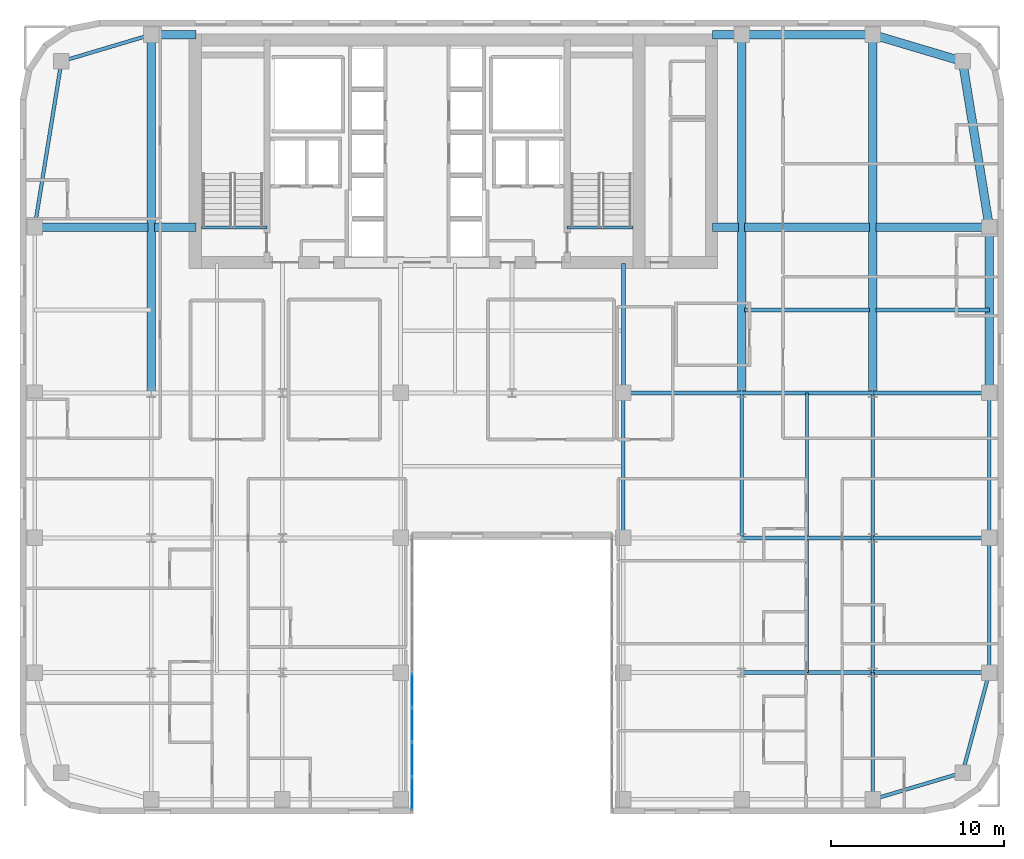
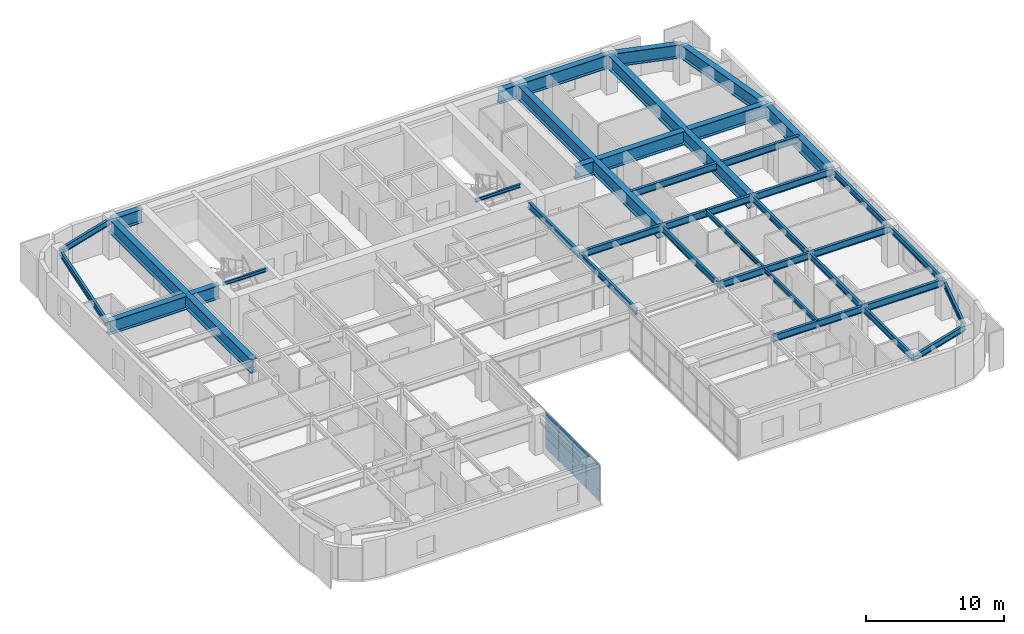
# One storey, part 8 of 16: 39 beams, 8 plates, 1 element without a shape of its own.
"""IFC4 building model written with IfcOpenShell, lengths in metres."""

from ifc_helpers import new_model, si_unit, direction, frame, origin, origin_2d, place, context, subcontext, project, spatial, rectangle, i_section, extrude, source, transform, mapped, material, layer, layer_set, material_profile, profile_set, type_object, type_shapes, element, aggregate, save


model = new_model("IFC4")

# Units and contexts
model_context = context("Model", 3, precision=1e-05, world=origin(), true_north=direction((0.0, 1.0)))
body_context = subcontext(model_context, "Body", "Model", "MODEL_VIEW")
ifc_project = project(units=[si_unit("LENGTHUNIT", "METRE"), si_unit("AREAUNIT", "SQUARE_METRE"), si_unit("VOLUMEUNIT", "CUBIC_METRE"), si_unit("PLANEANGLEUNIT", "RADIAN"), si_unit("MASSUNIT", "GRAM", prefix="KILO")], contexts=[model_context])

# Site, building, storey
site_placement = place(None, origin())
site = spatial("IfcSite", under=ifc_project, at=site_placement, CompositionType="ELEMENT")
building_placement = place(site_placement, origin())
building = spatial("IfcBuilding", under=site, at=building_placement, Name="Tolvann Quenvar Hotel", CompositionType="ELEMENT")
storey_placement = place(building_placement, frame((0.0, 0.0, 115.10009765625)))
storey = spatial("IfcBuildingStorey", under=building, at=storey_placement, Name="L29", CompositionType="ELEMENT", Elevation=115.10009765625)

# Beams
ifc_material_1 = material(Name="Steel Grade 350", Category="steel")
ifc_material_profile_1 = material_profile(ifc_material_1, i_section(OverallWidth=0.5, OverallDepth=1.199951171875, WebThickness=0.01611328125, FlangeThickness=0.0400390625, at=origin_2d()), Name="1200WB455")
ifc_profile_set_1 = profile_set([ifc_material_profile_1], Name="Steel Grade 350")
beam_type_1 = type_object("IfcBeamType", Name="BM_TG_1200WB455", PredefinedType="USERDEFINED", material=ifc_profile_set_1)
shared_shape_1 = source(origin(), body_context, "Body", "SweptSolid", [
    extrude(i_section(OverallWidth=0.5, OverallDepth=1.199951171875, WebThickness=0.01611328125, FlangeThickness=0.0400390625, at=origin_2d()), origin(), (0.0, 0.0, 1.0), 7.599853515625),
])
beam_1_placement = place(storey_placement, frame((49.39990234375, 45.14990234375, 2.77001953125), z_axis=(-1.0, 0.0, 0.0), x_axis=(0.0, -1.0, 0.0)))
element("IfcBeam", 1, at=beam_1_placement, inside=storey, type_object=beam_type_1, Name="BM-L29-FLK-E4", ObjectType="TRANSFER GIRDER", PredefinedType="USERDEFINED", context=body_context, shape_type="MappedRepresentation", body=[
    mapped(shared_shape_1, transform((0.0, 0.0, 0.0), x_axis=(1.0, 0.0, 0.0), y_axis=(0.0, 1.0, 0.0), z_axis=(0.0, 0.0, 1.0), scale=1.0)),
])
shared_shape_2 = source(origin(), body_context, "Body", "SweptSolid", [
    extrude(i_section(OverallWidth=0.5, OverallDepth=1.199951171875, WebThickness=0.01611328125, FlangeThickness=0.0400390625, at=origin_2d()), origin(), (0.0, 0.0, 1.0), 9.60009765625),
])
beam_2_placement = place(storey_placement, frame((56.14990234375, 24.39990234375, 2.77001953125), z_axis=(0.0, 1.0, 0.0), x_axis=(-1.0, 0.0, 0.0)))
element("IfcBeam", 2, at=beam_2_placement, inside=storey, type_object=beam_type_1, Name="BM-L29-FLK-E1", ObjectType="TRANSFER GIRDER", PredefinedType="USERDEFINED", context=body_context, shape_type="MappedRepresentation", body=[
    mapped(shared_shape_2, transform((0.0, 0.0, 0.0), x_axis=(1.0, 0.0, 0.0), y_axis=(0.0, 1.0, 0.0), z_axis=(0.0, 0.0, 1.0), scale=1.0)),
])
ifc_material_profile_2 = material_profile(ifc_material_1, i_section(OverallWidth=0.208984375, OverallDepth=0.528076171875, WebThickness=0.009521484375, FlangeThickness=0.01318359375, FilletRadius=0.013916015625, at=origin_2d()), Name="530UB82")
ifc_profile_set_2 = profile_set([ifc_material_profile_2], Name="Steel Grade 350")
beam_type_2 = type_object("IfcBeamType", Name="BM_SPAND_530UB82", PredefinedType="SPANDREL", material=ifc_profile_set_2)
shared_shape_3 = source(origin(), body_context, "Body", "SweptSolid", [
    extrude(i_section(OverallWidth=0.208984375, OverallDepth=0.528076171875, WebThickness=0.009521484375, FlangeThickness=0.01318359375, FilletRadius=0.013916015625, at=origin_2d()), origin(), (0.0, 0.0, 1.0), 5.42626953125),
])
for number, where, z_axis, x_axis, name in (
    (3, (49.39990234375, 0.85009765625, 3.10595703125), (0.958344815522, 0.285613750654, 0.0), (-0.285613750654, 0.958344815522, 0.0), "BM-L29-EW-2-I2-J2"),
    (4, (2.39990234375, 43.60009765625, 3.10595703125), (0.958344815522, 0.285613750654, 0.0), (-0.285613750654, 0.958344815522, 0.0), "BM-L29-FLK-W3"),
):
    element("IfcBeam", number, at=place(storey_placement, frame(where, z_axis=z_axis, x_axis=x_axis)), inside=storey, type_object=beam_type_2, Name=name, PredefinedType="SPANDREL", context=body_context, shape_type="MappedRepresentation", body=[
        mapped(shared_shape_3, transform((0.0, 0.0, 0.0), x_axis=(1.0, 0.0, 0.0), y_axis=(0.0, 1.0, 0.0), z_axis=(0.0, 0.0, 1.0), scale=1.0)),
    ])
ifc_material_profile_3 = material_profile(ifc_material_1, i_section(OverallWidth=0.22900390625, OverallDepth=0.612060546875, WebThickness=0.011962890625, FlangeThickness=0.01953125, FilletRadius=0.013916015625, at=origin_2d()), Name="610UB125")
ifc_profile_set_3 = profile_set([ifc_material_profile_3], Name="Steel Grade 350")
beam_type_3 = type_object("IfcBeamType", Name="BM_GIRD_610UB125", PredefinedType="BEAM", material=ifc_profile_set_3)
shared_shape_4 = source(origin(), body_context, "Body", "SweptSolid", [
    extrude(i_section(OverallWidth=0.22900390625, OverallDepth=0.612060546875, WebThickness=0.011962890625, FlangeThickness=0.01953125, FilletRadius=0.013916015625, at=origin_2d()), origin(), (0.0, 0.0, 1.0), 6.75),
])
for number, where, z_axis, x_axis, name in (
    (5, (49.39990234375, 8.199951171875, 3.06396484375), (1.0, 0.0, 0.0), (0.0, 1.0, 0.0), "BM-L29-EW-3-I3-J3"),
    (6, (49.39990234375, 16.0, 3.06396484375), (1.0, 0.0, 0.0), (0.0, 1.0, 0.0), "BM-L29-EW-4-I4-J4"),
    (7, (49.39990234375, 24.39990234375, 3.06396484375), (1.0, 0.0, 0.0), (0.0, 1.0, 0.0), "BM-L29-EW-5-I5-J5"),
):
    element("IfcBeam", number, at=place(storey_placement, frame(where, z_axis=z_axis, x_axis=x_axis)), inside=storey, type_object=beam_type_3, Name=name, PredefinedType="BEAM", context=body_context, shape_type="MappedRepresentation", body=[
        mapped(shared_shape_4, transform((0.0, 0.0, 0.0), x_axis=(1.0, 0.0, 0.0), y_axis=(0.0, 1.0, 0.0), z_axis=(0.0, 0.0, 1.0), scale=1.0)),
    ])
shared_shape_5 = source(origin(), body_context, "Body", "SweptSolid", [
    extrude(i_section(OverallWidth=0.22900390625, OverallDepth=0.612060546875, WebThickness=0.011962890625, FlangeThickness=0.01953125, FilletRadius=0.013916015625, at=origin_2d()), origin(), (0.0, 0.0, 1.0), 7.599853515625),
])
for number, where, z_axis, x_axis, name in (
    (8, (41.800048828125, 8.199951171875, 3.06396484375), (1.0, 0.0, 0.0), (0.0, 1.0, 0.0), "BM-L29-EW-3-H3-I3"),
    (9, (41.800048828125, 16.0, 3.06396484375), (1.0, 0.0, 0.0), (0.0, 1.0, 0.0), "BM-L29-EW-4-H4-I4"),
    (10, (41.800048828125, 24.39990234375, 3.06396484375), (1.0, 0.0, 0.0), (0.0, 1.0, 0.0), "BM-L29-EW-5-H5-I5"),
):
    element("IfcBeam", number, at=place(storey_placement, frame(where, z_axis=z_axis, x_axis=x_axis)), inside=storey, type_object=beam_type_3, Name=name, PredefinedType="BEAM", context=body_context, shape_type="MappedRepresentation", body=[
        mapped(shared_shape_5, transform((0.0, 0.0, 0.0), x_axis=(1.0, 0.0, 0.0), y_axis=(0.0, 1.0, 0.0), z_axis=(0.0, 0.0, 1.0), scale=1.0)),
    ])
shared_shape_6 = source(origin(), body_context, "Body", "SweptSolid", [
    extrude(i_section(OverallWidth=0.22900390625, OverallDepth=0.612060546875, WebThickness=0.011962890625, FlangeThickness=0.01953125, FilletRadius=0.013916015625, at=origin_2d()), origin(), (0.0, 0.0, 1.0), 6.85009765625),
])
beam_3_placement = place(storey_placement, frame((34.949951171875, 24.39990234375, 3.06396484375), z_axis=(1.0, 0.0, 0.0), x_axis=(0.0, 1.0, 0.0)))
element("IfcBeam", 11, at=beam_3_placement, inside=storey, type_object=beam_type_3, Name="BM-L29-EW-5-F5-H5", PredefinedType="BEAM", context=body_context, shape_type="MappedRepresentation", body=[
    mapped(shared_shape_6, transform((0.0, 0.0, 0.0), x_axis=(1.0, 0.0, 0.0), y_axis=(0.0, 1.0, 0.0), z_axis=(0.0, 0.0, 1.0), scale=1.0)),
])
shared_shape_7 = source(origin(), body_context, "Body", "SweptSolid", [
    extrude(i_section(OverallWidth=0.208984375, OverallDepth=0.528076171875, WebThickness=0.009521484375, FlangeThickness=0.01318359375, FilletRadius=0.013916015625, at=origin_2d()), origin(), (0.0, 0.0, 1.0), 6.00341796875),
])
beam_4_placement = place(storey_placement, frame((54.60009765625, 2.39990234375, 3.10595703125), z_axis=(0.258148586649, 0.966105225745, 0.0), x_axis=(-0.966105225745, 0.258148586649, 0.0)))
element("IfcBeam", 12, at=beam_4_placement, inside=storey, type_object=beam_type_2, Name="BM-L29-NS-J2-J3", PredefinedType="SPANDREL", context=body_context, shape_type="MappedRepresentation", body=[
    mapped(shared_shape_7, transform((0.0, 0.0, 0.0), x_axis=(1.0, 0.0, 0.0), y_axis=(0.0, 1.0, 0.0), z_axis=(0.0, 0.0, 1.0), scale=1.0)),
])
shared_shape_8 = source(origin(), body_context, "Body", "SweptSolid", [
    extrude(i_section(OverallWidth=0.208984375, OverallDepth=0.528076171875, WebThickness=0.009521484375, FlangeThickness=0.01318359375, FilletRadius=0.013916015625, at=origin_2d()), origin(), (0.0, 0.0, 1.0), 7.800048828125),
])
beam_5_placement = place(storey_placement, frame((56.14990234375, 8.199951171875, 3.10595703125), z_axis=(0.0, 1.0, 0.0), x_axis=(-1.0, 0.0, 0.0)))
element("IfcBeam", 13, at=beam_5_placement, inside=storey, type_object=beam_type_2, Name="BM-L29-NS-J3-J4", PredefinedType="SPANDREL", context=body_context, shape_type="MappedRepresentation", body=[
    mapped(shared_shape_8, transform((0.0, 0.0, 0.0), x_axis=(1.0, 0.0, 0.0), y_axis=(0.0, 1.0, 0.0), z_axis=(0.0, 0.0, 1.0), scale=1.0)),
])
shared_shape_9 = source(origin(), body_context, "Body", "SweptSolid", [
    extrude(i_section(OverallWidth=0.208984375, OverallDepth=0.528076171875, WebThickness=0.009521484375, FlangeThickness=0.01318359375, FilletRadius=0.013916015625, at=origin_2d()), origin(), (0.0, 0.0, 1.0), 8.39990234375),
])
beam_6_placement = place(storey_placement, frame((56.14990234375, 16.0, 3.10595703125), z_axis=(0.0, 1.0, 0.0), x_axis=(-1.0, 0.0, 0.0)))
element("IfcBeam", 14, at=beam_6_placement, inside=storey, type_object=beam_type_2, Name="BM-L29-NS-J4-J5", PredefinedType="SPANDREL", context=body_context, shape_type="MappedRepresentation", body=[
    mapped(shared_shape_9, transform((0.0, 0.0, 0.0), x_axis=(1.0, 0.0, 0.0), y_axis=(0.0, 1.0, 0.0), z_axis=(0.0, 0.0, 1.0), scale=1.0)),
])
ifc_material_profile_4 = material_profile(ifc_material_1, i_section(OverallWidth=0.208984375, OverallDepth=0.532958984375, WebThickness=0.01025390625, FlangeThickness=0.015625, FilletRadius=0.013916015625, at=origin_2d()), Name="530UB92")
ifc_profile_set_4 = profile_set([ifc_material_profile_4], Name="Steel Grade 350")
beam_type_4 = type_object("IfcBeamType", Name="BM_GIRD_530UB92", PredefinedType="BEAM", material=ifc_profile_set_4)
shared_shape_10 = source(origin(), body_context, "Body", "SweptSolid", [
    extrude(i_section(OverallWidth=0.208984375, OverallDepth=0.532958984375, WebThickness=0.01025390625, FlangeThickness=0.015625, FilletRadius=0.013916015625, at=origin_2d()), origin(), (0.0, 0.0, 1.0), 7.349853515625),
])
beam_7_placement = place(storey_placement, frame((49.39990234375, 0.85009765625, 3.103515625), z_axis=(0.0, 1.0, 0.0), x_axis=(-1.0, 0.0, 0.0)))
element("IfcBeam", 15, at=beam_7_placement, inside=storey, type_object=beam_type_4, Name="BM-L29-NS-I2-I3", PredefinedType="BEAM", context=body_context, shape_type="MappedRepresentation", body=[
    mapped(shared_shape_10, transform((0.0, 0.0, 0.0), x_axis=(1.0, 0.0, 0.0), y_axis=(0.0, 1.0, 0.0), z_axis=(0.0, 0.0, 1.0), scale=1.0)),
])
shared_shape_11 = source(origin(), body_context, "Body", "SweptSolid", [
    extrude(i_section(OverallWidth=0.208984375, OverallDepth=0.532958984375, WebThickness=0.01025390625, FlangeThickness=0.015625, FilletRadius=0.013916015625, at=origin_2d()), origin(), (0.0, 0.0, 1.0), 7.800048828125),
])
beam_8_placement = place(storey_placement, frame((49.39990234375, 8.199951171875, 3.103515625), z_axis=(0.0, 1.0, 0.0), x_axis=(-1.0, 0.0, 0.0)))
element("IfcBeam", 16, at=beam_8_placement, inside=storey, type_object=beam_type_4, Name="BM-L29-NS-I3-I4", PredefinedType="BEAM", context=body_context, shape_type="MappedRepresentation", body=[
    mapped(shared_shape_11, transform((0.0, 0.0, 0.0), x_axis=(1.0, 0.0, 0.0), y_axis=(0.0, 1.0, 0.0), z_axis=(0.0, 0.0, 1.0), scale=1.0)),
])
shared_shape_12 = source(origin(), body_context, "Body", "SweptSolid", [
    extrude(i_section(OverallWidth=0.208984375, OverallDepth=0.532958984375, WebThickness=0.01025390625, FlangeThickness=0.015625, FilletRadius=0.013916015625, at=origin_2d()), origin(), (0.0, 0.0, 1.0), 8.39990234375),
])
type_shapes(beam_type_4, [shared_shape_10, shared_shape_11, shared_shape_12])
for number, where, z_axis, x_axis, name in (
    (17, (34.949951171875, 16.0, 3.103515625), (0.0, 1.0, 0.0), (-1.0, 0.0, 0.0), "BM-L29-NS-F4-F5"),
    (18, (41.800048828125, 16.0, 3.103515625), (0.0, 1.0, 0.0), (-1.0, 0.0, 0.0), "BM-L29-NS-H4-H5"),
    (19, (49.39990234375, 16.0, 3.103515625), (0.0, 1.0, 0.0), (-1.0, 0.0, 0.0), "BM-L29-NS-I4-I5"),
):
    element("IfcBeam", number, at=place(storey_placement, frame(where, z_axis=z_axis, x_axis=x_axis)), inside=storey, type_object=beam_type_4, Name=name, PredefinedType="BEAM", context=body_context, shape_type="MappedRepresentation", body=[
        mapped(shared_shape_12, transform((0.0, 0.0, 0.0), x_axis=(1.0, 0.0, 0.0), y_axis=(0.0, 1.0, 0.0), z_axis=(0.0, 0.0, 1.0), scale=1.0)),
    ])
shared_shape_13 = source(origin(), body_context, "Body", "SweptSolid", [
    extrude(i_section(OverallWidth=0.22900390625, OverallDepth=0.612060546875, WebThickness=0.011962890625, FlangeThickness=0.01953125, FilletRadius=0.013916015625, at=origin_2d()), origin(), (0.0, 0.0, 1.0), 7.5),
])
beam_9_placement = place(storey_placement, frame((34.949951171875, 24.39990234375, 3.06396484375), z_axis=(0.0, 1.0, 0.0), x_axis=(-1.0, 0.0, 0.0)))
element("IfcBeam", 20, at=beam_9_placement, inside=storey, type_object=beam_type_3, Name="BM-L29-CORE-F5", PredefinedType="BEAM", context=body_context, shape_type="MappedRepresentation", body=[
    mapped(shared_shape_13, transform((0.0, 0.0, 0.0), x_axis=(1.0, 0.0, 0.0), y_axis=(0.0, 1.0, 0.0), z_axis=(0.0, 0.0, 1.0), scale=1.0)),
])
shared_shape_14 = source(origin(), body_context, "Body", "SweptSolid", [
    extrude(i_section(OverallWidth=0.208984375, OverallDepth=0.528076171875, WebThickness=0.009521484375, FlangeThickness=0.01318359375, FilletRadius=0.013916015625, at=origin_2d()), origin(), (0.0, 0.0, 1.0), 9.724365234375),
])
type_shapes(beam_type_2, [shared_shape_3, shared_shape_7, shared_shape_8, shared_shape_9, shared_shape_14])
beam_10_placement = place(storey_placement, frame((0.85009765625, 34.0, 3.10595703125), z_axis=(0.159372939192, 0.987218449105, 0.0), x_axis=(-0.987218449105, 0.159372939192, 0.0)))
element("IfcBeam", 21, at=beam_10_placement, inside=storey, type_object=beam_type_2, Name="BM-L29-FLK-W2", PredefinedType="SPANDREL", context=body_context, shape_type="MappedRepresentation", body=[
    mapped(shared_shape_14, transform((0.0, 0.0, 0.0), x_axis=(1.0, 0.0, 0.0), y_axis=(0.0, 1.0, 0.0), z_axis=(0.0, 0.0, 1.0), scale=1.0)),
])
shared_shape_15 = source(origin(), body_context, "Body", "SweptSolid", [
    extrude(i_section(OverallWidth=0.5, OverallDepth=1.199951171875, WebThickness=0.01611328125, FlangeThickness=0.0400390625, at=origin_2d()), origin(), (0.0, 0.0, 1.0), 20.75),
])
for number, where, z_axis, x_axis, name in (
    (22, (7.60009765625, 24.39990234375, 2.77001953125), (0.0, 1.0, 0.0), (-1.0, 0.0, 0.0), "BM-L29-FLK-WC"),
    (23, (41.800048828125, 24.39990234375, 2.77001953125), (0.0, 1.0, 0.0), (-1.0, 0.0, 0.0), "BM-L29-FLK-EH"),
    (24, (49.39990234375, 24.39990234375, 2.77001953125), (0.0, 1.0, 0.0), (-1.0, 0.0, 0.0), "BM-L29-FLK-EI"),
):
    element("IfcBeam", number, at=place(storey_placement, frame(where, z_axis=z_axis, x_axis=x_axis)), inside=storey, type_object=beam_type_1, Name=name, ObjectType="TRANSFER GIRDER", PredefinedType="USERDEFINED", context=body_context, shape_type="MappedRepresentation", body=[
        mapped(shared_shape_15, transform((0.0, 0.0, 0.0), x_axis=(1.0, 0.0, 0.0), y_axis=(0.0, 1.0, 0.0), z_axis=(0.0, 0.0, 1.0), scale=1.0)),
    ])
shared_shape_16 = source(origin(), body_context, "Body", "SweptSolid", [
    extrude(i_section(OverallWidth=0.5, OverallDepth=1.199951171875, WebThickness=0.01611328125, FlangeThickness=0.0400390625, at=origin_2d()), origin(), (0.0, 0.0, 1.0), 6.56982421875),
])
for number, where, z_axis, x_axis, name in (
    (25, (0.85009765625, 34.0, 2.77001953125), (1.0, 0.0, 0.0), (0.0, 1.0, 0.0), "BM-L29-CTW-MID1"),
    (26, (49.580078125, 34.0, 2.77001953125), (1.0, 0.0, 0.0), (0.0, 1.0, 0.0), "BM-L29-CTE-JD6C"),
):
    element("IfcBeam", number, at=place(storey_placement, frame(where, z_axis=z_axis, x_axis=x_axis)), inside=storey, type_object=beam_type_1, Name=name, ObjectType="TRANSFER GIRDER", PredefinedType="USERDEFINED", context=body_context, shape_type="MappedRepresentation", body=[
        mapped(shared_shape_16, transform((0.0, 0.0, 0.0), x_axis=(1.0, 0.0, 0.0), y_axis=(0.0, 1.0, 0.0), z_axis=(0.0, 0.0, 1.0), scale=1.0)),
    ])
shared_shape_17 = source(origin(), body_context, "Body", "SweptSolid", [
    extrude(i_section(OverallWidth=0.5, OverallDepth=1.199951171875, WebThickness=0.01611328125, FlangeThickness=0.0400390625, at=origin_2d()), origin(), (0.0, 0.0, 1.0), 2.419921875),
])
beam_11_placement = place(storey_placement, frame((7.780029296875, 34.0, 2.77001953125), z_axis=(1.0, 0.0, 0.0), x_axis=(0.0, 1.0, 0.0)))
element("IfcBeam", 27, at=beam_11_placement, inside=storey, type_object=beam_type_1, Name="BM-L29-CTW-MID2", ObjectType="TRANSFER GIRDER", PredefinedType="USERDEFINED", context=body_context, shape_type="MappedRepresentation", body=[
    mapped(shared_shape_17, transform((0.0, 0.0, 0.0), x_axis=(1.0, 0.0, 0.0), y_axis=(0.0, 1.0, 0.0), z_axis=(0.0, 0.0, 1.0), scale=1.0)),
])
shared_shape_18 = source(origin(), body_context, "Body", "SweptSolid", [
    extrude(i_section(OverallWidth=0.5, OverallDepth=1.199951171875, WebThickness=0.01611328125, FlangeThickness=0.0400390625, at=origin_2d()), origin(), (0.0, 0.0, 1.0), 2.599853515625),
])
beam_12_placement = place(storey_placement, frame((7.60009765625, 45.14990234375, 2.77001953125), z_axis=(1.0, 0.0, 0.0), x_axis=(0.0, 1.0, 0.0)))
element("IfcBeam", 28, at=beam_12_placement, inside=storey, type_object=beam_type_1, Name="BM-L29-CTW-CN", ObjectType="TRANSFER GIRDER", PredefinedType="USERDEFINED", context=body_context, shape_type="MappedRepresentation", body=[
    mapped(shared_shape_18, transform((0.0, 0.0, 0.0), x_axis=(1.0, 0.0, 0.0), y_axis=(0.0, 1.0, 0.0), z_axis=(0.0, 0.0, 1.0), scale=1.0)),
])
shared_shape_19 = source(origin(), body_context, "Body", "SweptSolid", [
    extrude(i_section(OverallWidth=0.5, OverallDepth=1.199951171875, WebThickness=0.01611328125, FlangeThickness=0.0400390625, at=origin_2d()), origin(), (0.0, 0.0, 1.0), 9.724365234375),
])
beam_13_placement = place(storey_placement, frame((56.14990234375, 34.0, 2.77001953125), z_axis=(-0.159372939192, 0.987218449105, 0.0), x_axis=(-0.987218449105, -0.159372939192, 0.0)))
element("IfcBeam", 29, at=beam_13_placement, inside=storey, type_object=beam_type_1, Name="BM-L29-FLK-E2", ObjectType="TRANSFER GIRDER", PredefinedType="USERDEFINED", context=body_context, shape_type="MappedRepresentation", body=[
    mapped(shared_shape_19, transform((0.0, 0.0, 0.0), x_axis=(1.0, 0.0, 0.0), y_axis=(0.0, 1.0, 0.0), z_axis=(0.0, 0.0, 1.0), scale=1.0)),
])
shared_shape_20 = source(origin(), body_context, "Body", "SweptSolid", [
    extrude(i_section(OverallWidth=0.5, OverallDepth=1.199951171875, WebThickness=0.01611328125, FlangeThickness=0.0400390625, at=origin_2d()), origin(), (0.0, 0.0, 1.0), 5.42626953125),
])
beam_14_placement = place(storey_placement, frame((54.60009765625, 43.60009765625, 2.77001953125), z_axis=(-0.958344815522, 0.285613750654, 0.0), x_axis=(-0.285613750654, -0.958344815522, 0.0)))
element("IfcBeam", 30, at=beam_14_placement, inside=storey, type_object=beam_type_1, Name="BM-L29-FLK-E3", ObjectType="TRANSFER GIRDER", PredefinedType="USERDEFINED", context=body_context, shape_type="MappedRepresentation", body=[
    mapped(shared_shape_20, transform((0.0, 0.0, 0.0), x_axis=(1.0, 0.0, 0.0), y_axis=(0.0, 1.0, 0.0), z_axis=(0.0, 0.0, 1.0), scale=1.0)),
])
shared_shape_21 = source(origin(), body_context, "Body", "SweptSolid", [
    extrude(i_section(OverallWidth=0.5, OverallDepth=1.199951171875, WebThickness=0.01611328125, FlangeThickness=0.0400390625, at=origin_2d()), origin(), (0.0, 0.0, 1.0), 1.699951171875),
])
beam_15_placement = place(storey_placement, frame((40.10009765625, 45.14990234375, 2.77001953125), z_axis=(1.0, 0.0, 0.0), x_axis=(0.0, 1.0, 0.0)))
element("IfcBeam", 31, at=beam_15_placement, inside=storey, type_object=beam_type_1, Name="BM-L29-CTE-HN", ObjectType="TRANSFER GIRDER", PredefinedType="USERDEFINED", context=body_context, shape_type="MappedRepresentation", body=[
    mapped(shared_shape_21, transform((0.0, 0.0, 0.0), x_axis=(1.0, 0.0, 0.0), y_axis=(0.0, 1.0, 0.0), z_axis=(0.0, 0.0, 1.0), scale=1.0)),
])
shared_shape_22 = source(origin(), body_context, "Body", "SweptSolid", [
    extrude(i_section(OverallWidth=0.5, OverallDepth=1.199951171875, WebThickness=0.01611328125, FlangeThickness=0.0400390625, at=origin_2d()), origin(), (0.0, 0.0, 1.0), 1.52001953125),
])
beam_16_placement = place(storey_placement, frame((40.10009765625, 34.0, 2.77001953125), z_axis=(1.0, 0.0, 0.0), x_axis=(0.0, 1.0, 0.0)))
element("IfcBeam", 32, at=beam_16_placement, inside=storey, type_object=beam_type_1, Name="BM-L29-CTE-JD6A", ObjectType="TRANSFER GIRDER", PredefinedType="USERDEFINED", context=body_context, shape_type="MappedRepresentation", body=[
    mapped(shared_shape_22, transform((0.0, 0.0, 0.0), x_axis=(1.0, 0.0, 0.0), y_axis=(0.0, 1.0, 0.0), z_axis=(0.0, 0.0, 1.0), scale=1.0)),
])
shared_shape_23 = source(origin(), body_context, "Body", "SweptSolid", [
    extrude(i_section(OverallWidth=0.5, OverallDepth=1.199951171875, WebThickness=0.01611328125, FlangeThickness=0.0400390625, at=origin_2d()), origin(), (0.0, 0.0, 1.0), 7.239990234375),
])
type_shapes(beam_type_1, [shared_shape_1, shared_shape_2, shared_shape_15, shared_shape_16, shared_shape_17, shared_shape_18, shared_shape_19, shared_shape_20, shared_shape_21, shared_shape_22, shared_shape_23])
beam_17_placement = place(storey_placement, frame((41.97998046875, 34.0, 2.77001953125), z_axis=(1.0, 0.0, 0.0), x_axis=(0.0, 1.0, 0.0)))
element("IfcBeam", 33, at=beam_17_placement, inside=storey, type_object=beam_type_1, Name="BM-L29-CTE-JD6B", ObjectType="TRANSFER GIRDER", PredefinedType="USERDEFINED", context=body_context, shape_type="MappedRepresentation", body=[
    mapped(shared_shape_23, transform((0.0, 0.0, 0.0), x_axis=(1.0, 0.0, 0.0), y_axis=(0.0, 1.0, 0.0), z_axis=(0.0, 0.0, 1.0), scale=1.0)),
])
shared_shape_24 = source(origin(), body_context, "Body", "SweptSolid", [
    extrude(i_section(OverallWidth=0.22900390625, OverallDepth=0.612060546875, WebThickness=0.011962890625, FlangeThickness=0.01953125, FilletRadius=0.013916015625, at=origin_2d()), origin(), (0.0, 0.0, 1.0), 7.239990234375),
])
beam_18_placement = place(storey_placement, frame((41.97998046875, 29.199951171875, 3.06396484375), z_axis=(1.0, 0.0, 0.0), x_axis=(0.0, 1.0, 0.0)))
element("IfcBeam", 34, at=beam_18_placement, inside=storey, type_object=beam_type_3, Name="BM-L29-EW-HI29", PredefinedType="BEAM", context=body_context, shape_type="MappedRepresentation", body=[
    mapped(shared_shape_24, transform((0.0, 0.0, 0.0), x_axis=(1.0, 0.0, 0.0), y_axis=(0.0, 1.0, 0.0), z_axis=(0.0, 0.0, 1.0), scale=1.0)),
])
shared_shape_25 = source(origin(), body_context, "Body", "SweptSolid", [
    extrude(i_section(OverallWidth=0.22900390625, OverallDepth=0.612060546875, WebThickness=0.011962890625, FlangeThickness=0.01953125, FilletRadius=0.013916015625, at=origin_2d()), origin(), (0.0, 0.0, 1.0), 6.56982421875),
])
type_shapes(beam_type_3, [shared_shape_4, shared_shape_5, shared_shape_6, shared_shape_13, shared_shape_24, shared_shape_25])
beam_19_placement = place(storey_placement, frame((49.580078125, 29.199951171875, 3.06396484375), z_axis=(1.0, 0.0, 0.0), x_axis=(0.0, 1.0, 0.0)))
element("IfcBeam", 35, at=beam_19_placement, inside=storey, type_object=beam_type_3, Name="BM-L29-EW-IJ29", PredefinedType="BEAM", context=body_context, shape_type="MappedRepresentation", body=[
    mapped(shared_shape_25, transform((0.0, 0.0, 0.0), x_axis=(1.0, 0.0, 0.0), y_axis=(0.0, 1.0, 0.0), z_axis=(0.0, 0.0, 1.0), scale=1.0)),
])
ifc_material_profile_5 = material_profile(ifc_material_1, i_section(OverallWidth=0.177978515625, OverallDepth=0.406005859375, WebThickness=0.0078125, FlangeThickness=0.0126953125, FilletRadius=0.011474609375, at=origin_2d()), Name="410UB60")
ifc_profile_set_5 = profile_set([ifc_material_profile_5], Name="Steel Grade 350")
beam_type_5 = type_object("IfcBeamType", Name="BM_JOIST_410UB60", PredefinedType="JOIST", material=ifc_profile_set_5)
shared_shape_26 = source(origin(), body_context, "Body", "SweptSolid", [
    extrude(i_section(OverallWidth=0.177978515625, OverallDepth=0.406005859375, WebThickness=0.0078125, FlangeThickness=0.0126953125, FilletRadius=0.011474609375, at=origin_2d()), origin(), (0.0, 0.0, 1.0), 7.691650390625),
])
beam_20_placement = place(storey_placement, frame((45.60009765625, 8.199951171875, 3.1669921875), z_axis=(0.0, 1.0, 0.0), x_axis=(-1.0, 0.0, 0.0)))
element("IfcBeam", 36, at=beam_20_placement, inside=storey, type_object=beam_type_5, Name="BJ-L29-456-82", PredefinedType="JOIST", context=body_context, shape_type="MappedRepresentation", body=[
    mapped(shared_shape_26, transform((0.0, 0.0, 0.0), x_axis=(1.0, 0.0, 0.0), y_axis=(0.0, 1.0, 0.0), z_axis=(0.0, 0.0, 1.0), scale=1.0)),
])
shared_shape_27 = source(origin(), body_context, "Body", "SweptSolid", [
    extrude(i_section(OverallWidth=0.177978515625, OverallDepth=0.406005859375, WebThickness=0.0078125, FlangeThickness=0.0126953125, FilletRadius=0.011474609375, at=origin_2d()), origin(), (0.0, 0.0, 1.0), 8.29150390625),
])
type_shapes(beam_type_5, [shared_shape_26, shared_shape_27])
beam_21_placement = place(storey_placement, frame((45.60009765625, 16.1083984375, 3.1669921875), z_axis=(0.0, 1.0, 0.0), x_axis=(-1.0, 0.0, 0.0)))
element("IfcBeam", 37, at=beam_21_placement, inside=storey, type_object=beam_type_5, Name="BJ-L29-456-160", PredefinedType="JOIST", context=body_context, shape_type="MappedRepresentation", body=[
    mapped(shared_shape_27, transform((0.0, 0.0, 0.0), x_axis=(1.0, 0.0, 0.0), y_axis=(0.0, 1.0, 0.0), z_axis=(0.0, 0.0, 1.0), scale=1.0)),
])
ifc_material_profile_6 = material_profile(ifc_material_1, i_section(OverallWidth=0.166015625, OverallDepth=0.306884765625, WebThickness=0.006591796875, FlangeThickness=0.01171875, FilletRadius=0.011474609375, at=origin_2d()), Name="310UB46")
ifc_profile_set_6 = profile_set([ifc_material_profile_6], Name="Steel Grade 350")
beam_type_6 = type_object("IfcBeamType", Name="BM_JOIST_310UB46", PredefinedType="JOIST", material=ifc_profile_set_6)
shared_shape_28 = source(origin(), body_context, "Body", "SweptSolid", [
    extrude(i_section(OverallWidth=0.166015625, OverallDepth=0.306884765625, WebThickness=0.006591796875, FlangeThickness=0.01171875, FilletRadius=0.011474609375, at=origin_2d()), origin(), (0.0, 0.0, 1.0), 3.800048828125),
])
type_shapes(beam_type_6, [shared_shape_28])
for number, where, z_axis, x_axis, name in (
    (38, (10.5, 33.97998046875, 3.21630859375), (1.0, 0.0, 0.0), (0.0, 1.0, 0.0), "BM-HDR-STC1-L30"),
    (39, (31.699951171875, 33.97998046875, 3.21630859375), (1.0, 0.0, 0.0), (0.0, 1.0, 0.0), "BM-HDR-STC2-L30"),
):
    element("IfcBeam", number, at=place(storey_placement, frame(where, z_axis=z_axis, x_axis=x_axis)), inside=storey, type_object=beam_type_6, Name=name, PredefinedType="JOIST", context=body_context, shape_type="MappedRepresentation", body=[
        mapped(shared_shape_28, transform((0.0, 0.0, 0.0), x_axis=(1.0, 0.0, 0.0), y_axis=(0.0, 1.0, 0.0), z_axis=(0.0, 0.0, 1.0), scale=1.0)),
    ])

# Curtain wall, plates
ifc_material_2 = material(Name="Thermally broken anodised architectural aluminium 6063-T6 and laminated low-E glass", Category="aluminium")
ifc_layer_1 = layer(ifc_material_2, 0.179931640625)
ifc_layer_set_1 = layer_set([ifc_layer_1], Name="Thermally broken anodised architectural aluminium 6063-T6 and laminated low-E glass")
curtain_wall_type = type_object("IfcCurtainWallType", Name="CW_SYS_SLOT_03", PredefinedType="USERDEFINED", material=ifc_layer_set_1)
curtain_wall_placement = place(storey_placement, origin())
curtain_wall = element("IfcCurtainWall", 40, at=curtain_wall_placement, inside=storey, type_object=curtain_wall_type, Name="Curtain Wall CW-SLOT-03 (CWR-L29-E05)", ObjectType="UNITISED CURTAIN WALL", PredefinedType="USERDEFINED")
ifc_material_3 = material(Name="Low-iron laminated double glazing with solar-control coating", Category="glass")
ifc_layer_2 = layer(ifc_material_3, 0.028076171875)
ifc_layer_set_2 = layer_set([ifc_layer_2], Name="Low-iron laminated double glazing with solar-control coating")
plate_type = type_object("IfcPlateType", Name="CW_PAN_VISION_28", PredefinedType="CURTAIN_PANEL", material=ifc_layer_set_2)
shared_shape_29 = source(origin(), body_context, "Body", "SweptSolid", [
    extrude(rectangle(XDim=1.89501953125, YDim=0.028076171875, at=origin_2d()), origin(), (0.0, 0.0, 1.0), 0.9599609375),
])
plate_1_placement = place(storey_placement, frame((22.7099609375, 1.1923828125, 0.059814453125), z_axis=(0.0, 0.0, 1.0), x_axis=(0.0, 1.0, 0.0)))
plate_1 = element("IfcPlate", 41, at=plate_1_placement, type_object=plate_type, Name="CW-SLOT-03 panel 1.1", PredefinedType="CURTAIN_PANEL", context=body_context, shape_type="MappedRepresentation", body=[
    mapped(shared_shape_29, transform((0.0, 0.0, 0.0), x_axis=(1.0, 0.0, 0.0), y_axis=(0.0, 1.0, 0.0), z_axis=(0.0, 0.0, 1.0), scale=1.0)),
])
shared_shape_30 = source(origin(), body_context, "Body", "SweptSolid", [
    extrude(rectangle(XDim=1.89501953125, YDim=0.028076171875, at=origin_2d()), origin(), (0.0, 0.0, 1.0), 2.22998046875),
])
plate_2_placement = place(storey_placement, frame((22.7099609375, 1.1923828125, 1.079833984375), z_axis=(0.0, 0.0, 1.0), x_axis=(0.0, 1.0, 0.0)))
plate_2 = element("IfcPlate", 42, at=plate_2_placement, type_object=plate_type, Name="CW-SLOT-03 panel 1.2", PredefinedType="CURTAIN_PANEL", context=body_context, shape_type="MappedRepresentation", body=[
    mapped(shared_shape_30, transform((0.0, 0.0, 0.0), x_axis=(1.0, 0.0, 0.0), y_axis=(0.0, 1.0, 0.0), z_axis=(0.0, 0.0, 1.0), scale=1.0)),
])
shared_shape_31 = source(origin(), body_context, "Body", "SweptSolid", [
    extrude(rectangle(XDim=1.929931640625, YDim=0.028076171875, at=origin_2d()), origin(), (0.0, 0.0, 1.0), 0.9599609375),
])
plate_3_placement = place(storey_placement, frame((22.7099609375, 3.175048828125, 0.059814453125), z_axis=(0.0, 0.0, 1.0), x_axis=(0.0, 1.0, 0.0)))
plate_3 = element("IfcPlate", 43, at=plate_3_placement, type_object=plate_type, Name="CW-SLOT-03 panel 2.1", PredefinedType="CURTAIN_PANEL", context=body_context, shape_type="MappedRepresentation", body=[
    mapped(shared_shape_31, transform((0.0, 0.0, 0.0), x_axis=(1.0, 0.0, 0.0), y_axis=(0.0, 1.0, 0.0), z_axis=(0.0, 0.0, 1.0), scale=1.0)),
])
plate_4_placement = place(storey_placement, frame((22.7099609375, 5.175048828125, 0.059814453125), z_axis=(0.0, 0.0, 1.0), x_axis=(0.0, 1.0, 0.0)))
plate_4 = element("IfcPlate", 44, at=plate_4_placement, type_object=plate_type, Name="CW-SLOT-03 panel 3.1", PredefinedType="CURTAIN_PANEL", context=body_context, shape_type="MappedRepresentation", body=[
    mapped(shared_shape_31, transform((0.0, 0.0, 0.0), x_axis=(1.0, 0.0, 0.0), y_axis=(0.0, 1.0, 0.0), z_axis=(0.0, 0.0, 1.0), scale=1.0)),
])
plate_5_placement = place(storey_placement, frame((22.7099609375, 7.175048828125, 0.059814453125), z_axis=(0.0, 0.0, 1.0), x_axis=(0.0, 1.0, 0.0)))
plate_5 = element("IfcPlate", 45, at=plate_5_placement, type_object=plate_type, Name="CW-SLOT-03 panel 4.1", PredefinedType="CURTAIN_PANEL", context=body_context, shape_type="MappedRepresentation", body=[
    mapped(shared_shape_31, transform((0.0, 0.0, 0.0), x_axis=(1.0, 0.0, 0.0), y_axis=(0.0, 1.0, 0.0), z_axis=(0.0, 0.0, 1.0), scale=1.0)),
])
shared_shape_32 = source(origin(), body_context, "Body", "SweptSolid", [
    extrude(rectangle(XDim=1.929931640625, YDim=0.028076171875, at=origin_2d()), origin(), (0.0, 0.0, 1.0), 2.22998046875),
])
type_shapes(plate_type, [shared_shape_29, shared_shape_30, shared_shape_31, shared_shape_32])
plate_6_placement = place(storey_placement, frame((22.7099609375, 3.175048828125, 1.079833984375), z_axis=(0.0, 0.0, 1.0), x_axis=(0.0, 1.0, 0.0)))
plate_6 = element("IfcPlate", 46, at=plate_6_placement, type_object=plate_type, Name="CW-SLOT-03 panel 2.2", PredefinedType="CURTAIN_PANEL", context=body_context, shape_type="MappedRepresentation", body=[
    mapped(shared_shape_32, transform((0.0, 0.0, 0.0), x_axis=(1.0, 0.0, 0.0), y_axis=(0.0, 1.0, 0.0), z_axis=(0.0, 0.0, 1.0), scale=1.0)),
])
plate_7_placement = place(storey_placement, frame((22.7099609375, 5.175048828125, 1.079833984375), z_axis=(0.0, 0.0, 1.0), x_axis=(0.0, 1.0, 0.0)))
plate_7 = element("IfcPlate", 47, at=plate_7_placement, type_object=plate_type, Name="CW-SLOT-03 panel 3.2", PredefinedType="CURTAIN_PANEL", context=body_context, shape_type="MappedRepresentation", body=[
    mapped(shared_shape_32, transform((0.0, 0.0, 0.0), x_axis=(1.0, 0.0, 0.0), y_axis=(0.0, 1.0, 0.0), z_axis=(0.0, 0.0, 1.0), scale=1.0)),
])
plate_8_placement = place(storey_placement, frame((22.7099609375, 7.175048828125, 1.079833984375), z_axis=(0.0, 0.0, 1.0), x_axis=(0.0, 1.0, 0.0)))
plate_8 = element("IfcPlate", 48, at=plate_8_placement, type_object=plate_type, Name="CW-SLOT-03 panel 4.2", PredefinedType="CURTAIN_PANEL", context=body_context, shape_type="MappedRepresentation", body=[
    mapped(shared_shape_32, transform((0.0, 0.0, 0.0), x_axis=(1.0, 0.0, 0.0), y_axis=(0.0, 1.0, 0.0), z_axis=(0.0, 0.0, 1.0), scale=1.0)),
])
aggregate(curtain_wall, [plate_1, plate_2, plate_3, plate_6, plate_4, plate_7, plate_5, plate_8])

save(model, "model.ifc")
